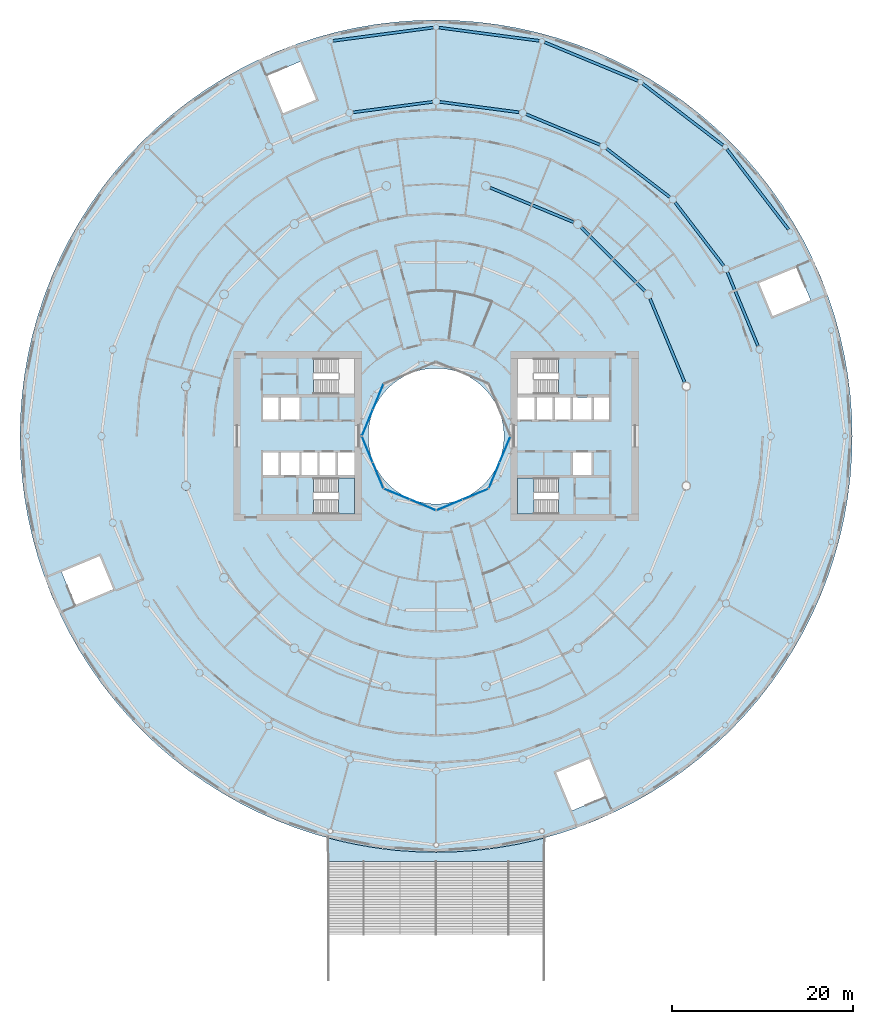
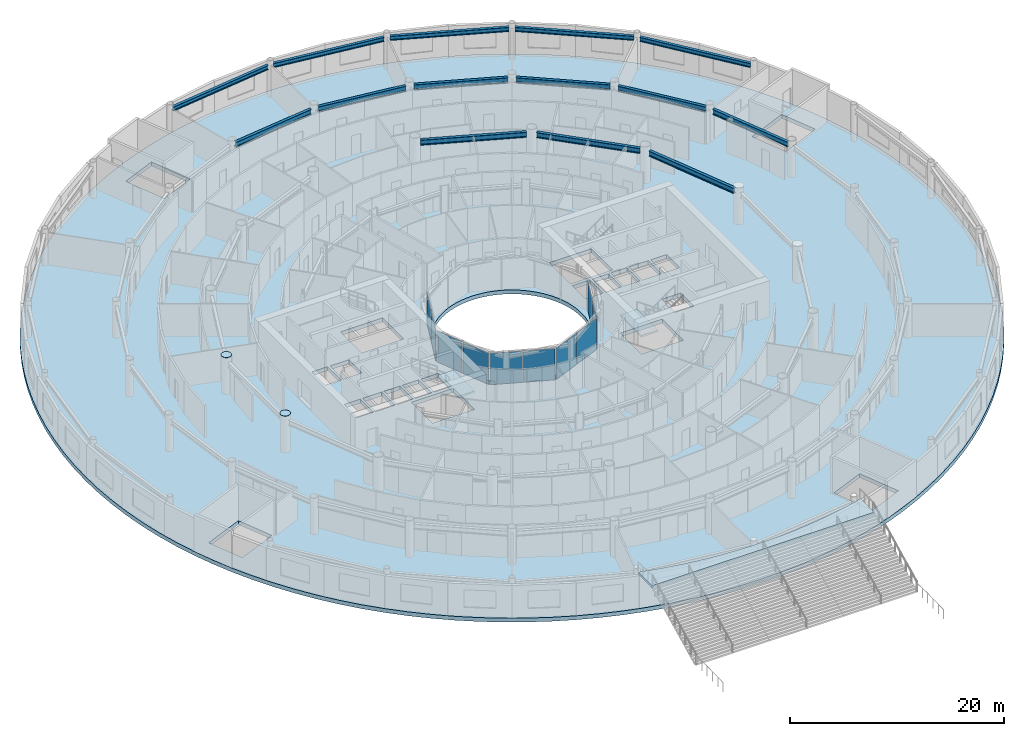
# One storey, part 11 of 29: 14 beams, 12 plates, 4 slabs, 7 elements without a shape of their own.
"""IFC4 building model written with IfcOpenShell, lengths in metres."""

from ifc_helpers import new_model, si_unit, direction, frame, origin, origin_2d, place, context, subcontext, project, spatial, polyline, rectangle, i_section, outline, extrude, material, layer, layer_set, material_profile, profile_set, type_object, element, aggregate, save


model = new_model("IFC4")

# Units and contexts
model_context = context("Model", 3, precision=1e-05, world=origin(), true_north=direction((0.0, 1.0)))
body_context = subcontext(model_context, "Body", "Model", "MODEL_VIEW")
ifc_project = project(units=[si_unit("LENGTHUNIT", "METRE"), si_unit("AREAUNIT", "SQUARE_METRE"), si_unit("VOLUMEUNIT", "CUBIC_METRE"), si_unit("PLANEANGLEUNIT", "RADIAN"), si_unit("MASSUNIT", "GRAM", prefix="KILO")], contexts=[model_context])

# Site, building, storey
site_placement = place(None, origin())
site = spatial("IfcSite", under=ifc_project, at=site_placement, CompositionType="ELEMENT")
building_placement = place(site_placement, origin())
building = spatial("IfcBuilding", under=site, at=building_placement, Name="Maasbend Ring Residences", CompositionType="ELEMENT")
storey_placement = place(building_placement, frame((0.0, 0.0, 5.39990234375)))
storey = spatial("IfcBuildingStorey", under=building, at=storey_placement, Name="L01", CompositionType="ELEMENT", Elevation=5.39990234375)

# Beams
ifc_material_1 = material(Name="Steel S355J2", Category="steel")
ifc_material_profile_1 = material_profile(ifc_material_1, i_section(OverallWidth=0.300048828125, OverallDepth=0.5, WebThickness=0.014404296875, FlangeThickness=0.028076171875, FilletRadius=0.027099609375, at=origin_2d()), Name="HEB 500")
ifc_profile_set_1 = profile_set([ifc_material_profile_1], Name="Steel S355J2")
beam_type_1 = type_object("IfcBeamType", Name="Podium ring beam HEB 500", PredefinedType="BEAM", material=ifc_profile_set_1)
for number, where, z_axis, x_axis, name in (
    (1, (38.95849609375, 22.842041015625, 3.4501953125), (-0.608750763691, 0.793361523963, 0.0), (-0.793361523963, -0.608750763691, 0.0), "Podium ring beam"),
    (2, (31.71923828125, 32.14697265625, 3.4501953125), (-0.793361523963, 0.608750763691, 0.0), (-0.608750763691, -0.793361523963, 0.0), "Podium ring beam"),
    (3, (22.318115234375, 39.260986328125, 3.4501953125), (-0.923872164384, 0.382701220114, 0.0), (-0.382701220114, -0.923872164384, 0.0), "Podium ring beam"),
    (4, (11.396240234375, 43.69970703125, 3.4501953125), (-0.991445678747, 0.130519983501, 0.0), (-0.130519983501, -0.991445678747, 0.0), "Podium ring beam"),
    (5, (-0.302490234375, 45.16015625, 3.4501953125), (-0.991445678747, -0.130519983501, 0.0), (0.130519983501, -0.991445678747, 0.0), "Podium ring beam"),
):
    element("IfcBeam", number, at=place(storey_placement, frame(where, z_axis=z_axis, x_axis=x_axis)), inside=storey, type_object=beam_type_1, Name=name, PredefinedType="BEAM", context=body_context, shape_type="SweptSolid", body=[
        extrude(i_section(OverallWidth=0.300048828125, OverallDepth=0.5, WebThickness=0.014404296875, FlangeThickness=0.028076171875, FilletRadius=0.027099609375, at=origin_2d()), origin(), (0.0, 0.0, 1.0), 11.189453125),
    ])
ifc_material_2 = material(Name="Steel S460M", Category="steel")
ifc_material_profile_2 = material_profile(ifc_material_2, i_section(OverallWidth=0.300048828125, OverallDepth=0.60009765625, WebThickness=0.015380859375, FlangeThickness=0.030029296875, FilletRadius=0.027099609375, at=origin_2d()), Name="HEB 600")
ifc_profile_set_2 = profile_set([ifc_material_profile_2], Name="Steel S460M")
beam_type_2 = type_object("IfcBeamType", Name="Podium ring beam HEB 600", PredefinedType="BEAM", material=ifc_profile_set_2)
for number, where, z_axis, x_axis, name in (
    (6, (35.583740234375, 9.951904296875, 3.400146484375), (-0.382688167356, 0.923877571199, 0.0), (-0.923877571199, -0.382688167356, 0.0), "Podium ring beam"),
    (7, (31.79541015625, 18.822509765625, 3.400146484375), (-0.608751326002, 0.793361092499, 0.0), (-0.793361092499, -0.608751326002, 0.0), "Podium ring beam"),
    (8, (25.840576171875, 26.410400390625, 3.400146484375), (-0.793361092499, 0.608751326002, 0.0), (-0.608751326002, -0.793361092499, 0.0), "Podium ring beam"),
    (9, (18.12451171875, 32.198486328125, 3.400146484375), (-0.923877571199, 0.382688167356, 0.0), (-0.382688167356, -0.923877571199, 0.0), "Podium ring beam"),
    (10, (9.17333984375, 35.79248046875, 3.400146484375), (-0.991446120927, 0.13051662461, 0.0), (-0.13051662461, -0.991446120927, 0.0), "Podium ring beam"),
    (11, (-0.403076171875, 36.947021484375, 3.400146484375), (-0.991446120927, -0.13051662461, 0.0), (0.13051662461, -0.991446120927, 0.0), "Podium ring beam"),
):
    element("IfcBeam", number, at=place(storey_placement, frame(where, z_axis=z_axis, x_axis=x_axis)), inside=storey, type_object=beam_type_2, Name=name, PredefinedType="BEAM", context=body_context, shape_type="SweptSolid", body=[
        extrude(i_section(OverallWidth=0.300048828125, OverallDepth=0.60009765625, WebThickness=0.015380859375, FlangeThickness=0.030029296875, FilletRadius=0.027099609375, at=origin_2d()), origin(), (0.0, 0.0, 1.0), 8.845947265625),
    ])
ifc_material_3 = material(Name="Steel S460M", Category="steel")
ifc_material_profile_3 = material_profile(ifc_material_3, i_section(OverallWidth=0.300048828125, OverallDepth=0.60009765625, WebThickness=0.015380859375, FlangeThickness=0.030029296875, FilletRadius=0.027099609375, at=origin_2d()), Name="HEB 600")
ifc_profile_set_3 = profile_set([ifc_material_profile_3], Name="Steel S460M")
beam_type_3 = type_object("IfcBeamType", Name="Spandrel ring beam HEB 600", PredefinedType="SPANDREL", material=ifc_profile_set_3)
beam_1_placement = place(storey_placement, frame((27.463623046875, 5.970703125, 3.400146484375), z_axis=(-0.382667003395, 0.923886337442, 0.0), x_axis=(-0.923886337442, -0.382667003395, 0.0)))
element("IfcBeam", 12, at=beam_1_placement, inside=storey, type_object=beam_type_3, Name="Spandrel ring beam", PredefinedType="SPANDREL", context=body_context, shape_type="SweptSolid", body=[
    extrude(i_section(OverallWidth=0.300048828125, OverallDepth=0.60009765625, WebThickness=0.015380859375, FlangeThickness=0.030029296875, FilletRadius=0.027099609375, at=origin_2d()), origin(), (0.0, 0.0, 1.0), 9.9873046875),
])
beam_2_placement = place(storey_placement, frame((23.088134765625, 16.0263671875, 3.400146484375), z_axis=(-0.707106781187, 0.707106781187, 0.0), x_axis=(-0.707106781187, -0.707106781187, 0.0)))
element("IfcBeam", 13, at=beam_2_placement, inside=storey, type_object=beam_type_3, Name="Spandrel ring beam", PredefinedType="SPANDREL", context=body_context, shape_type="SweptSolid", body=[
    extrude(i_section(OverallWidth=0.300048828125, OverallDepth=0.60009765625, WebThickness=0.015380859375, FlangeThickness=0.030029296875, FilletRadius=0.027099609375, at=origin_2d()), origin(), (0.0, 0.0, 1.0), 9.98681640625),
])
beam_3_placement = place(storey_placement, frame((15.19775390625, 23.641845703125, 3.400146484375), z_axis=(-0.923886337442, 0.382667003395, 0.0), x_axis=(-0.382667003395, -0.923886337442, 0.0)))
element("IfcBeam", 14, at=beam_3_placement, inside=storey, type_object=beam_type_3, Name="Spandrel ring beam", PredefinedType="SPANDREL", context=body_context, shape_type="SweptSolid", body=[
    extrude(i_section(OverallWidth=0.300048828125, OverallDepth=0.60009765625, WebThickness=0.015380859375, FlangeThickness=0.030029296875, FilletRadius=0.027099609375, at=origin_2d()), origin(), (0.0, 0.0, 1.0), 9.9873046875),
])

# Stair, slab
ifc_material_4 = material(Name="Concrete C40/50", Category="concrete")
stair_type = type_object("IfcStairType", Name="CORE STAIR 24 RISERS", PredefinedType="HALF_TURN_STAIR", material=ifc_material_4)
stair_1_placement = place(storey_placement, origin())
stair_1 = element("IfcStair", 15, at=stair_1_placement, inside=storey, type_object=stair_type, Name="L01 Exit stair ST-E2", PredefinedType="HALF_TURN_STAIR")
ifc_material_5 = material(Name="Concrete C40/50", Category="concrete")
ifc_layer_1 = layer(ifc_material_5, 0.199951171875)
ifc_layer_set_1 = layer_set([ifc_layer_1], Name="Concrete C40/50")
slab_type_1 = type_object("IfcSlabType", Name="CORE STAIR LANDING 200", PredefinedType="LANDING", material=ifc_layer_set_1)
slab_1_placement = place(storey_placement, frame((0.0, 0.0, 1.900146484375)))
slab_1 = element("IfcSlab", 16, at=slab_1_placement, type_object=slab_type_1, Name="ST-E2 landing 1", PredefinedType="LANDING", context=body_context, shape_type="SweptSolid", body=[
    extrude(outline(polyline([(10.800048828125, -4.64990234375), (9.0, -4.64990234375), (9.0, -8.60009765625), (10.800048828125, -8.60009765625), (10.800048828125, -4.64990234375)])), origin(), (0.0, 0.0, 1.0), 0.199951171875),
])
aggregate(stair_1, [slab_1])

stair_2_placement = place(storey_placement, origin())
stair_2 = element("IfcStair", 17, at=stair_2_placement, inside=storey, type_object=stair_type, Name="L01 Exit stair ST-W1", PredefinedType="HALF_TURN_STAIR")
slab_2_placement = place(storey_placement, frame((0.0, 0.0, 1.900146484375)))
slab_2 = element("IfcSlab", 18, at=slab_2_placement, type_object=slab_type_1, Name="ST-W1 landing 1", PredefinedType="LANDING", context=body_context, shape_type="SweptSolid", body=[
    extrude(outline(polyline([(-10.800048828125, -8.60009765625), (-9.0, -8.60009765625), (-9.0, -4.64990234375), (-10.800048828125, -4.64990234375), (-10.800048828125, -8.60009765625)])), origin(), (0.0, 0.0, 1.0), 0.199951171875),
])
aggregate(stair_2, [slab_2])

# Curtain wall, plates
ifc_material_6 = material(Name="Aluminium and clear glass", Category="aluminium")
ifc_layer_2 = layer(ifc_material_6, 0.199951171875)
ifc_layer_set_2 = layer_set([ifc_layer_2], Name="CW-LR")
curtain_wall_type = type_object("IfcCurtainWallType", Name="CW-LR", PredefinedType="NOTDEFINED", material=ifc_layer_set_2)
curtain_wall_1_placement = place(storey_placement, origin())
curtain_wall_1 = element("IfcCurtainWall", 19, at=curtain_wall_1_placement, inside=storey, type_object=curtain_wall_type, Name="Lobby ring curtain wall 04", PredefinedType="NOTDEFINED")
ifc_material_7 = material(Name="Glass clear laminated", Category="glass")
ifc_layer_3 = layer(ifc_material_7, 0.035888671875)
ifc_layer_set_3 = layer_set([ifc_layer_3], Name="CWP-LR")
plate_type_1 = type_object("IfcPlateType", Name="CWP-LR", PredefinedType="CURTAIN_PANEL", material=ifc_layer_set_3)
plate_1_placement = place(storey_placement, frame((-6.41748046875, 4.340576171875, 0.0), z_axis=(0.0, 0.0, 1.0), x_axis=(-0.382683432365, -0.923879532511, 0.0)))
plate_1 = element("IfcPlate", 20, at=plate_1_placement, type_object=plate_type_1, Name="Glass panel podium lobby ring", PredefinedType="CURTAIN_PANEL", context=body_context, shape_type="SweptSolid", body=[
    extrude(rectangle(XDim=3.038818359375, YDim=0.035888671875, at=origin_2d()), origin(), (0.0, 0.0, 1.0), 3.580078125),
])
plate_2_placement = place(storey_placement, frame((-7.607177734375, 1.468505859375, 0.0), z_axis=(0.0, 0.0, 1.0), x_axis=(-0.382683432365, -0.923879532511, 0.0)))
plate_2 = element("IfcPlate", 21, at=plate_2_placement, type_object=plate_type_1, Name="Glass panel podium lobby ring", PredefinedType="CURTAIN_PANEL", context=body_context, shape_type="SweptSolid", body=[
    extrude(rectangle(XDim=3.038818359375, YDim=0.035888671875, at=origin_2d()), origin(), (0.0, 0.0, 1.0), 3.580078125),
])
aggregate(curtain_wall_1, [plate_1, plate_2])

curtain_wall_2_placement = place(storey_placement, origin())
curtain_wall_2 = element("IfcCurtainWall", 22, at=curtain_wall_2_placement, inside=storey, type_object=curtain_wall_type, Name="Lobby ring curtain wall 05", PredefinedType="NOTDEFINED")
plate_3_placement = place(storey_placement, frame((-7.607177734375, -1.468505859375, 0.0), z_axis=(0.0, 0.0, 1.0), x_axis=(0.382683432365, -0.923879532511, 0.0)))
plate_3 = element("IfcPlate", 23, at=plate_3_placement, type_object=plate_type_1, Name="Glass panel podium lobby ring", PredefinedType="CURTAIN_PANEL", context=body_context, shape_type="SweptSolid", body=[
    extrude(rectangle(XDim=3.038818359375, YDim=0.035888671875, at=origin_2d()), origin(), (0.0, 0.0, 1.0), 3.580078125),
])
plate_4_placement = place(storey_placement, frame((-6.41748046875, -4.340576171875, 0.0), z_axis=(0.0, 0.0, 1.0), x_axis=(0.382683432365, -0.923879532511, 0.0)))
plate_4 = element("IfcPlate", 24, at=plate_4_placement, type_object=plate_type_1, Name="Glass panel podium lobby ring", PredefinedType="CURTAIN_PANEL", context=body_context, shape_type="SweptSolid", body=[
    extrude(rectangle(XDim=3.038818359375, YDim=0.035888671875, at=origin_2d()), origin(), (0.0, 0.0, 1.0), 3.580078125),
])
aggregate(curtain_wall_2, [plate_3, plate_4])

curtain_wall_3_placement = place(storey_placement, origin())
curtain_wall_3 = element("IfcCurtainWall", 25, at=curtain_wall_3_placement, inside=storey, type_object=curtain_wall_type, Name="Lobby ring curtain wall 06", PredefinedType="NOTDEFINED")
plate_5_placement = place(storey_placement, frame((-4.340576171875, -6.41748046875, 0.0), z_axis=(0.0, 0.0, 1.0), x_axis=(0.923879532511, -0.382683432365, 0.0)))
plate_5 = element("IfcPlate", 26, at=plate_5_placement, type_object=plate_type_1, Name="Glass panel podium lobby ring", PredefinedType="CURTAIN_PANEL", context=body_context, shape_type="SweptSolid", body=[
    extrude(rectangle(XDim=3.038818359375, YDim=0.035888671875, at=origin_2d()), origin(), (0.0, 0.0, 1.0), 3.580078125),
])
plate_6_placement = place(storey_placement, frame((-1.468505859375, -7.607177734375, 0.0), z_axis=(0.0, 0.0, 1.0), x_axis=(0.923879532511, -0.382683432365, 0.0)))
plate_6 = element("IfcPlate", 27, at=plate_6_placement, type_object=plate_type_1, Name="Glass panel podium lobby ring", PredefinedType="CURTAIN_PANEL", context=body_context, shape_type="SweptSolid", body=[
    extrude(rectangle(XDim=3.038818359375, YDim=0.035888671875, at=origin_2d()), origin(), (0.0, 0.0, 1.0), 3.580078125),
])
aggregate(curtain_wall_3, [plate_5, plate_6])

curtain_wall_4_placement = place(storey_placement, origin())
curtain_wall_4 = element("IfcCurtainWall", 28, at=curtain_wall_4_placement, inside=storey, type_object=curtain_wall_type, Name="Lobby ring curtain wall 07", PredefinedType="NOTDEFINED")
plate_7_placement = place(storey_placement, frame((1.468505859375, -7.607177734375, 0.0), z_axis=(0.0, 0.0, 1.0), x_axis=(0.923879532511, 0.382683432365, 0.0)))
plate_7 = element("IfcPlate", 29, at=plate_7_placement, type_object=plate_type_1, Name="Glass panel podium lobby ring", PredefinedType="CURTAIN_PANEL", context=body_context, shape_type="SweptSolid", body=[
    extrude(rectangle(XDim=3.038818359375, YDim=0.035888671875, at=origin_2d()), origin(), (0.0, 0.0, 1.0), 3.580078125),
])
plate_8_placement = place(storey_placement, frame((4.340576171875, -6.41748046875, 0.0), z_axis=(0.0, 0.0, 1.0), x_axis=(0.923879532511, 0.382683432365, 0.0)))
plate_8 = element("IfcPlate", 30, at=plate_8_placement, type_object=plate_type_1, Name="Glass panel podium lobby ring", PredefinedType="CURTAIN_PANEL", context=body_context, shape_type="SweptSolid", body=[
    extrude(rectangle(XDim=3.038818359375, YDim=0.035888671875, at=origin_2d()), origin(), (0.0, 0.0, 1.0), 3.580078125),
])
aggregate(curtain_wall_4, [plate_7, plate_8])

curtain_wall_5_placement = place(storey_placement, origin())
curtain_wall_5 = element("IfcCurtainWall", 31, at=curtain_wall_5_placement, inside=storey, type_object=curtain_wall_type, Name="Lobby ring curtain wall 08", PredefinedType="NOTDEFINED")
plate_9_placement = place(storey_placement, frame((6.41748046875, -4.340576171875, 0.0), z_axis=(0.0, 0.0, 1.0), x_axis=(0.382683432365, 0.923879532511, 0.0)))
plate_9 = element("IfcPlate", 32, at=plate_9_placement, type_object=plate_type_1, Name="Glass panel podium lobby ring", PredefinedType="CURTAIN_PANEL", context=body_context, shape_type="SweptSolid", body=[
    extrude(rectangle(XDim=3.038818359375, YDim=0.035888671875, at=origin_2d()), origin(), (0.0, 0.0, 1.0), 3.580078125),
])
plate_10_placement = place(storey_placement, frame((7.607177734375, -1.468505859375, 0.0), z_axis=(0.0, 0.0, 1.0), x_axis=(0.382683432365, 0.923879532511, 0.0)))
plate_10 = element("IfcPlate", 33, at=plate_10_placement, type_object=plate_type_1, Name="Glass panel podium lobby ring", PredefinedType="CURTAIN_PANEL", context=body_context, shape_type="SweptSolid", body=[
    extrude(rectangle(XDim=3.038818359375, YDim=0.035888671875, at=origin_2d()), origin(), (0.0, 0.0, 1.0), 3.580078125),
])
aggregate(curtain_wall_5, [plate_9, plate_10])

# Plates
ifc_material_8 = material(Name="Steel S460NH", Category="steel")
ifc_layer_4 = layer(ifc_material_8, 0.035888671875)
ifc_layer_set_4 = layer_set([ifc_layer_4], Name="Steel S460NH")
plate_type_2 = type_object("IfcPlateType", Name="End plate CHS 1016x50 36", PredefinedType="USERDEFINED", material=ifc_layer_set_4)
plate_11_placement = place(storey_placement, frame((0.0, 0.0, 4.2001953125)))
element("IfcPlate", 34, at=plate_11_placement, inside=storey, type_object=plate_type_2, Name="Column head plate R8", ObjectType="END PLATE", PredefinedType="USERDEFINED", context=body_context, shape_type="SweptSolid", body=[
    extrude(outline(polyline([(-27.16015625, 5.50146484375), (-27.177001953125, 5.63037109375), (-27.226806640625, 5.75048828125), (-27.305908203125, 5.853515625), (-27.4091796875, 5.932861328125), (-27.529296875, 5.982421875), (-27.658203125, 5.99951171875), (-27.787109375, 5.982421875), (-27.906982421875, 5.932861328125), (-28.01025390625, 5.853515625), (-28.08935546875, 5.75048828125), (-28.13916015625, 5.63037109375), (-28.156005859375, 5.50146484375), (-28.13916015625, 5.37255859375), (-28.08935546875, 5.25244140625), (-28.01025390625, 5.1494140625), (-27.906982421875, 5.0703125), (-27.787109375, 5.0205078125), (-27.658203125, 5.00341796875), (-27.529296875, 5.0205078125), (-27.4091796875, 5.0703125), (-27.305908203125, 5.1494140625), (-27.226806640625, 5.25244140625), (-27.177001953125, 5.37255859375), (-27.16015625, 5.50146484375)])), origin(), (0.0, 0.0, 1.0), 0.035888671875),
])
plate_12_placement = place(storey_placement, frame((0.0, 0.0, 4.2001953125)))
element("IfcPlate", 35, at=plate_12_placement, inside=storey, type_object=plate_type_2, Name="Column head plate R9", ObjectType="END PLATE", PredefinedType="USERDEFINED", context=body_context, shape_type="SweptSolid", body=[
    extrude(outline(polyline([(-27.16015625, -5.50146484375), (-27.177001953125, -5.37255859375), (-27.226806640625, -5.25244140625), (-27.305908203125, -5.1494140625), (-27.4091796875, -5.0703125), (-27.529296875, -5.0205078125), (-27.658203125, -5.00341796875), (-27.787109375, -5.0205078125), (-27.906982421875, -5.0703125), (-28.01025390625, -5.1494140625), (-28.08935546875, -5.25244140625), (-28.13916015625, -5.37255859375), (-28.156005859375, -5.50146484375), (-28.13916015625, -5.63037109375), (-28.08935546875, -5.75048828125), (-28.01025390625, -5.853515625), (-27.906982421875, -5.932861328125), (-27.787109375, -5.982421875), (-27.658203125, -5.99951171875), (-27.529296875, -5.982421875), (-27.4091796875, -5.932861328125), (-27.305908203125, -5.853515625), (-27.226806640625, -5.75048828125), (-27.177001953125, -5.63037109375), (-27.16015625, -5.50146484375)])), origin(), (0.0, 0.0, 1.0), 0.035888671875),
])

# Slabs
ifc_material_9 = material(Name="Concrete C40/50", Category="concrete")
ifc_layer_5 = layer(ifc_material_9, 0.449951171875)
ifc_layer_set_5 = layer_set([ifc_layer_5], Name="Concrete C40/50")
slab_type_2 = type_object("IfcSlabType", Name="Post-tensioned flat plate 450", PredefinedType="FLOOR", material=ifc_layer_set_5)
slab_3_placement = place(storey_placement, frame((0.0, 0.0, -0.449951171875)))
element("IfcSlab", 36, at=slab_3_placement, inside=storey, type_object=slab_type_2, Name="Floor slab L01", PredefinedType="FLOOR", context=body_context, shape_type="SweptSolid", body=[
    extrude(outline(polyline([(45.944580078125, -2.257080078125), (46.0, 0.0), (45.944580078125, 2.257080078125), (45.778564453125, 4.5087890625), (45.502197265625, 6.74951171875), (45.1162109375, 8.97412109375), (44.621337890625, 11.177001953125), (44.019287109375, 13.35302734375), (43.31103515625, 15.496826171875), (42.49853515625, 17.603515625), (41.58349609375, 19.66748046875), (40.568359375, 21.68408203125), (39.45556640625, 23.648681640625), (38.24755859375, 25.55615234375), (36.947509765625, 27.402099609375), (35.55859375, 29.18212890625), (34.083740234375, 30.8916015625), (32.52685546875, 32.52685546875), (30.8916015625, 34.083740234375), (29.18212890625, 35.55859375), (27.402099609375, 36.947509765625), (25.55615234375, 38.24755859375), (23.648681640625, 39.45556640625), (21.68408203125, 40.568359375), (19.66748046875, 41.58349609375), (17.603515625, 42.49853515625), (15.496826171875, 43.31103515625), (13.35302734375, 44.019287109375), (11.177001953125, 44.621337890625), (8.97412109375, 45.1162109375), (6.74951171875, 45.502197265625), (4.5087890625, 45.778564453125), (2.257080078125, 45.944580078125), (0.0, 46.0), (-2.257080078125, 45.944580078125), (-4.5087890625, 45.778564453125), (-6.74951171875, 45.502197265625), (-8.97412109375, 45.1162109375), (-11.177001953125, 44.621337890625), (-13.35302734375, 44.019287109375), (-15.496826171875, 43.31103515625), (-17.603515625, 42.49853515625), (-19.66748046875, 41.58349609375), (-21.68408203125, 40.568359375), (-23.648681640625, 39.45556640625), (-25.55615234375, 38.24755859375), (-27.402099609375, 36.947509765625), (-29.18212890625, 35.55859375), (-30.8916015625, 34.083740234375), (-32.52685546875, 32.52685546875), (-34.083740234375, 30.8916015625), (-35.55859375, 29.18212890625), (-36.947509765625, 27.402099609375), (-38.24755859375, 25.55615234375), (-39.45556640625, 23.648681640625), (-40.568359375, 21.68408203125), (-41.58349609375, 19.66748046875), (-42.49853515625, 17.603515625), (-43.31103515625, 15.496826171875), (-44.019287109375, 13.35302734375), (-44.621337890625, 11.177001953125), (-45.1162109375, 8.97412109375), (-45.502197265625, 6.74951171875), (-45.778564453125, 4.5087890625), (-45.944580078125, 2.257080078125), (-46.0, 0.0), (-45.944580078125, -2.257080078125), (-45.778564453125, -4.5087890625), (-45.502197265625, -6.74951171875), (-45.1162109375, -8.97412109375), (-44.621337890625, -11.177001953125), (-44.019287109375, -13.35302734375), (-43.31103515625, -15.496826171875), (-42.49853515625, -17.603515625), (-41.58349609375, -19.66748046875), (-40.568359375, -21.68408203125), (-39.45556640625, -23.648681640625), (-38.24755859375, -25.55615234375), (-36.947509765625, -27.402099609375), (-35.55859375, -29.18212890625), (-34.083740234375, -30.8916015625), (-32.52685546875, -32.52685546875), (-30.8916015625, -34.083740234375), (-29.18212890625, -35.55859375), (-27.402099609375, -36.947509765625), (-25.55615234375, -38.24755859375), (-23.648681640625, -39.45556640625), (-21.68408203125, -40.568359375), (-19.66748046875, -41.58349609375), (-17.603515625, -42.49853515625), (-15.496826171875, -43.31103515625), (-13.35302734375, -44.019287109375), (-11.177001953125, -44.621337890625), (-8.97412109375, -45.1162109375), (-6.74951171875, -45.502197265625), (-4.5087890625, -45.778564453125), (-2.257080078125, -45.944580078125), (0.0, -46.0), (2.257080078125, -45.944580078125), (4.5087890625, -45.778564453125), (6.74951171875, -45.502197265625), (8.97412109375, -45.1162109375), (11.177001953125, -44.621337890625), (13.35302734375, -44.019287109375), (15.496826171875, -43.31103515625), (17.603515625, -42.49853515625), (19.66748046875, -41.58349609375), (21.68408203125, -40.568359375), (23.648681640625, -39.45556640625), (25.55615234375, -38.24755859375), (27.402099609375, -36.947509765625), (29.18212890625, -35.55859375), (30.8916015625, -34.083740234375), (32.52685546875, -32.52685546875), (34.083740234375, -30.8916015625), (35.55859375, -29.18212890625), (36.947509765625, -27.402099609375), (38.24755859375, -25.55615234375), (39.45556640625, -23.648681640625), (40.568359375, -21.68408203125), (41.58349609375, -19.66748046875), (42.49853515625, -17.603515625), (43.31103515625, -15.496826171875), (44.019287109375, -13.35302734375), (44.621337890625, -11.177001953125), (45.1162109375, -8.97412109375), (45.502197265625, -6.74951171875), (45.778564453125, -4.5087890625), (45.944580078125, -2.257080078125)]), holes=[polyline([(41.406494140625, 15.013427734375), (37.202880859375, 13.272216796875), (35.691162109375, 16.92138671875), (39.89501953125, 18.66259765625), (41.406494140625, 15.013427734375)]), polyline([(17.425048828125, 1.824951171875), (17.425048828125, 4.27490234375), (19.14990234375, 4.27490234375), (19.14990234375, 1.824951171875), (17.425048828125, 1.824951171875)]), polyline([(18.66259765625, -39.89501953125), (15.013427734375, -41.406494140625), (13.272216796875, -37.202880859375), (16.92138671875, -35.691162109375), (18.66259765625, -39.89501953125)]), polyline([(15.125, 4.27490234375), (17.175048828125, 4.27490234375), (17.175048828125, 1.824951171875), (15.125, 1.824951171875), (15.125, 4.27490234375)]), polyline([(15.125, -1.824951171875), (17.175048828125, -1.824951171875), (17.175048828125, -4.27490234375), (15.125, -4.27490234375), (15.125, -1.824951171875)]), polyline([(13.125, 4.27490234375), (14.875, 4.27490234375), (14.875, 1.824951171875), (13.125, 1.824951171875), (13.125, 4.27490234375)]), polyline([(13.550048828125, 4.64990234375), (9.0, 4.64990234375), (9.0, 8.60009765625), (13.550048828125, 8.60009765625), (13.550048828125, 4.64990234375)]), polyline([(13.550048828125, -4.64990234375), (13.550048828125, -8.60009765625), (9.0, -8.60009765625), (9.0, -4.64990234375), (13.550048828125, -4.64990234375)]), polyline([(11.125, 1.824951171875), (11.125, 4.27490234375), (12.875, 4.27490234375), (12.875, 1.824951171875), (11.125, 1.824951171875)]), polyline([(9.0, 4.27490234375), (10.875, 4.27490234375), (10.875, 1.824951171875), (9.0, 1.824951171875), (9.0, 4.27490234375)]), polyline([(7.490966796875, 0.367919921875), (7.5, 0.0), (7.490966796875, -0.367919921875), (7.4638671875, -0.735107421875), (7.418701171875, -1.1005859375), (7.35595703125, -1.463134765625), (7.275146484375, -1.822509765625), (7.177001953125, -2.177001953125), (7.0615234375, -2.526611328125), (6.92919921875, -2.8701171875), (6.77978515625, -3.206787109375), (6.614501953125, -3.535400390625), (6.43310546875, -3.855712890625), (6.236083984375, -4.166748046875), (6.024169921875, -4.4677734375), (5.797607421875, -4.7578125), (5.55712890625, -5.03662109375), (5.30322265625, -5.30322265625), (5.03662109375, -5.55712890625), (4.7578125, -5.797607421875), (4.4677734375, -6.024169921875), (4.166748046875, -6.236083984375), (3.855712890625, -6.43310546875), (3.535400390625, -6.614501953125), (3.206787109375, -6.77978515625), (2.8701171875, -6.92919921875), (2.526611328125, -7.0615234375), (2.177001953125, -7.177001953125), (1.822509765625, -7.275146484375), (1.463134765625, -7.35595703125), (1.1005859375, -7.418701171875), (0.735107421875, -7.4638671875), (0.367919921875, -7.490966796875), (0.0, -7.5), (-0.367919921875, -7.490966796875), (-0.735107421875, -7.4638671875), (-1.1005859375, -7.418701171875), (-1.463134765625, -7.35595703125), (-1.822509765625, -7.275146484375), (-2.177001953125, -7.177001953125), (-2.526611328125, -7.0615234375), (-2.8701171875, -6.92919921875), (-3.206787109375, -6.77978515625), (-3.535400390625, -6.614501953125), (-3.855712890625, -6.43310546875), (-4.166748046875, -6.236083984375), (-4.4677734375, -6.024169921875), (-4.7578125, -5.797607421875), (-5.03662109375, -5.55712890625), (-5.30322265625, -5.30322265625), (-5.55712890625, -5.03662109375), (-5.797607421875, -4.7578125), (-6.024169921875, -4.4677734375), (-6.236083984375, -4.166748046875), (-6.43310546875, -3.855712890625), (-6.614501953125, -3.535400390625), (-6.77978515625, -3.206787109375), (-6.92919921875, -2.8701171875), (-7.0615234375, -2.526611328125), (-7.177001953125, -2.177001953125), (-7.275146484375, -1.822509765625), (-7.35595703125, -1.463134765625), (-7.418701171875, -1.1005859375), (-7.4638671875, -0.735107421875), (-7.490966796875, -0.367919921875), (-7.5, 0.0), (-7.490966796875, 0.367919921875), (-7.4638671875, 0.735107421875), (-7.418701171875, 1.1005859375), (-7.35595703125, 1.463134765625), (-7.275146484375, 1.822509765625), (-7.177001953125, 2.177001953125), (-7.0615234375, 2.526611328125), (-6.92919921875, 2.8701171875), (-6.77978515625, 3.206787109375), (-6.614501953125, 3.535400390625), (-6.43310546875, 3.855712890625), (-6.236083984375, 4.166748046875), (-6.024169921875, 4.4677734375), (-5.797607421875, 4.7578125), (-5.55712890625, 5.03662109375), (-5.30322265625, 5.30322265625), (-5.03662109375, 5.55712890625), (-4.7578125, 5.797607421875), (-4.4677734375, 6.024169921875), (-4.166748046875, 6.236083984375), (-3.855712890625, 6.43310546875), (-3.535400390625, 6.614501953125), (-3.206787109375, 6.77978515625), (-2.8701171875, 6.92919921875), (-2.526611328125, 7.0615234375), (-2.177001953125, 7.177001953125), (-1.822509765625, 7.275146484375), (-1.463134765625, 7.35595703125), (-1.1005859375, 7.418701171875), (-0.735107421875, 7.4638671875), (-0.367919921875, 7.490966796875), (0.0, 7.5), (0.367919921875, 7.490966796875), (0.735107421875, 7.4638671875), (1.1005859375, 7.418701171875), (1.463134765625, 7.35595703125), (1.822509765625, 7.275146484375), (2.177001953125, 7.177001953125), (2.526611328125, 7.0615234375), (2.8701171875, 6.92919921875), (3.206787109375, 6.77978515625), (3.535400390625, 6.614501953125), (3.855712890625, 6.43310546875), (4.166748046875, 6.236083984375), (4.4677734375, 6.024169921875), (4.7578125, 5.797607421875), (5.03662109375, 5.55712890625), (5.30322265625, 5.30322265625), (5.55712890625, 5.03662109375), (5.797607421875, 4.7578125), (6.024169921875, 4.4677734375), (6.236083984375, 4.166748046875), (6.43310546875, 3.855712890625), (6.614501953125, 3.535400390625), (6.77978515625, 3.206787109375), (6.92919921875, 2.8701171875), (7.0615234375, 2.526611328125), (7.177001953125, 2.177001953125), (7.275146484375, 1.822509765625), (7.35595703125, 1.463134765625), (7.418701171875, 1.1005859375), (7.4638671875, 0.735107421875), (7.490966796875, 0.367919921875)]), polyline([(-13.550048828125, -8.60009765625), (-13.550048828125, -4.64990234375), (-9.0, -4.64990234375), (-9.0, -8.60009765625), (-13.550048828125, -8.60009765625)]), polyline([(-9.0, -1.824951171875), (-9.0, -4.27490234375), (-10.875, -4.27490234375), (-10.875, -1.824951171875), (-9.0, -1.824951171875)]), polyline([(-13.550048828125, 8.60009765625), (-9.0, 8.60009765625), (-9.0, 4.64990234375), (-13.550048828125, 4.64990234375), (-13.550048828125, 8.60009765625)]), polyline([(-11.125, -1.824951171875), (-11.125, -4.27490234375), (-12.875, -4.27490234375), (-12.875, -1.824951171875), (-11.125, -1.824951171875)]), polyline([(-13.125, -4.27490234375), (-14.875, -4.27490234375), (-14.875, -1.824951171875), (-13.125, -1.824951171875), (-13.125, -4.27490234375)]), polyline([(-18.66259765625, 39.89501953125), (-15.013427734375, 41.406494140625), (-13.272216796875, 37.202880859375), (-16.92138671875, 35.691162109375), (-18.66259765625, 39.89501953125)]), polyline([(-15.125, 1.824951171875), (-17.175048828125, 1.824951171875), (-17.175048828125, 4.27490234375), (-15.125, 4.27490234375), (-15.125, 1.824951171875)]), polyline([(-15.125, -4.27490234375), (-17.175048828125, -4.27490234375), (-17.175048828125, -1.824951171875), (-15.125, -1.824951171875), (-15.125, -4.27490234375)]), polyline([(-17.425048828125, 4.27490234375), (-17.425048828125, 1.824951171875), (-19.14990234375, 1.824951171875), (-19.14990234375, 4.27490234375), (-17.425048828125, 4.27490234375)]), polyline([(-17.425048828125, -1.824951171875), (-17.425048828125, -4.27490234375), (-19.14990234375, -4.27490234375), (-19.14990234375, -1.824951171875), (-17.425048828125, -1.824951171875)]), polyline([(-39.89501953125, -18.66259765625), (-41.406494140625, -15.013427734375), (-37.202880859375, -13.272216796875), (-35.691162109375, -16.92138671875), (-39.89501953125, -18.66259765625)])]), origin(), (0.0, 0.0, 1.0), 0.449951171875),
])
ifc_material_10 = material(Name="Concrete C35/45", Category="concrete")
ifc_layer_6 = layer(ifc_material_10, 0.300048828125)
ifc_layer_set_6 = layer_set([ifc_layer_6], Name="Concrete C35/45")
slab_type_3 = type_object("IfcSlabType", Name="ST-BROAD-LD", PredefinedType="LANDING", material=ifc_layer_set_6)
slab_4_placement = place(storey_placement, frame((0.0, 0.0, 3.900146484375)))
element("IfcSlab", 37, at=slab_4_placement, inside=storey, type_object=slab_type_3, Name="Broad stair top landing", PredefinedType="LANDING", context=body_context, shape_type="SweptSolid", body=[
    extrude(outline(polyline([(12.0, -47.0), (-12.0, -47.0), (-12.0, -44.40625), (-11.723876953125, -44.48095703125), (-11.177001953125, -44.621337890625), (-10.628662109375, -44.755126953125), (-10.07861328125, -44.88232421875), (-9.527099609375, -45.002685546875), (-8.97412109375, -45.1162109375), (-8.419921875, -45.222900390625), (-7.8642578125, -45.32275390625), (-7.307373046875, -45.415771484375), (-6.74951171875, -45.502197265625), (-6.190673828125, -45.58154296875), (-5.630859375, -45.654052734375), (-5.0703125, -45.7197265625), (-4.5087890625, -45.778564453125), (-3.94677734375, -45.830322265625), (-3.384033203125, -45.875244140625), (-2.82080078125, -45.913330078125), (-2.257080078125, -45.944580078125), (-1.693115234375, -45.96875), (-1.12890625, -45.986083984375), (-0.564453125, -45.99658203125), (0.0, -46.0), (0.564453125, -45.99658203125), (1.12890625, -45.986083984375), (1.693115234375, -45.96875), (2.257080078125, -45.944580078125), (2.82080078125, -45.913330078125), (3.384033203125, -45.875244140625), (3.94677734375, -45.830322265625), (4.5087890625, -45.778564453125), (5.0703125, -45.7197265625), (5.630859375, -45.654052734375), (6.190673828125, -45.58154296875), (6.74951171875, -45.502197265625), (7.307373046875, -45.415771484375), (7.8642578125, -45.32275390625), (8.419921875, -45.222900390625), (8.97412109375, -45.1162109375), (9.527099609375, -45.002685546875), (10.07861328125, -44.88232421875), (10.628662109375, -44.755126953125), (11.177001953125, -44.621337890625), (11.723876953125, -44.48095703125), (12.0, -44.40625), (12.0, -47.0)])), origin(), (0.0, 0.0, 1.0), 0.300048828125),
])

save(model, "model.ifc")
